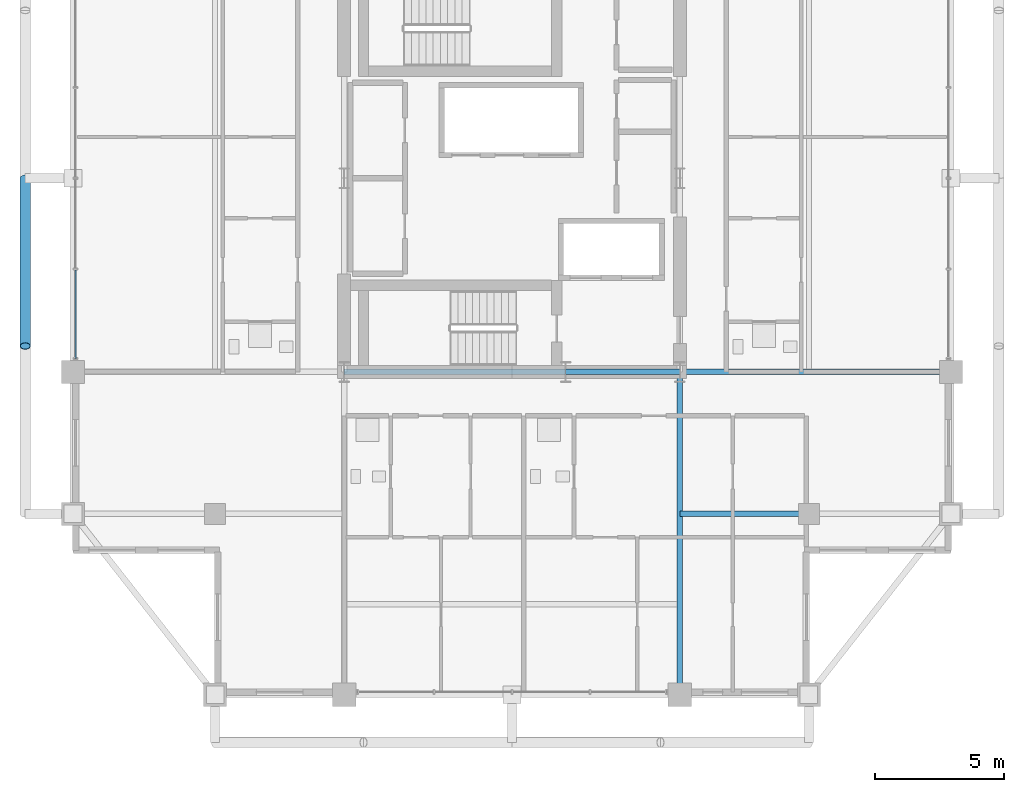
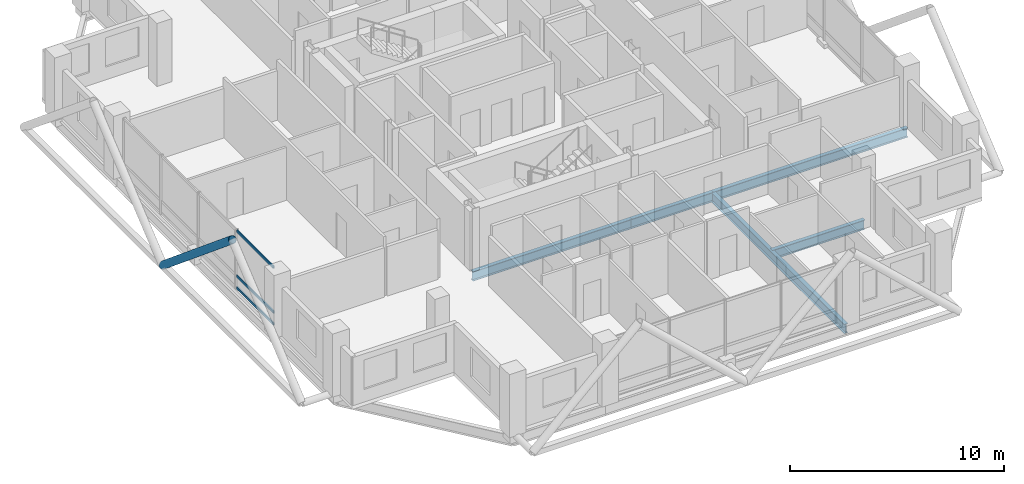
# One storey, part 7 of 25: 5 beams, 4 members, 1 element without a shape of its own.
"""IFC4 building model written with IfcOpenShell, lengths in metres."""

from ifc_helpers import new_model, si_unit, direction, frame, origin, origin_2d, place, context, subcontext, project, spatial, hollow_rectangle, hollow_circle, i_section, extrude, material, layer, layer_set, material_profile, profile_set, type_object, element, aggregate, save


model = new_model("IFC4")

# Units and contexts
model_context = context("Model", 3, precision=1e-05, world=origin(), true_north=direction((0.0, 1.0)))
body_context = subcontext(model_context, "Body", "Model", "MODEL_VIEW")
ifc_project = project(units=[si_unit("LENGTHUNIT", "METRE"), si_unit("AREAUNIT", "SQUARE_METRE"), si_unit("VOLUMEUNIT", "CUBIC_METRE"), si_unit("PLANEANGLEUNIT", "RADIAN"), si_unit("MASSUNIT", "GRAM", prefix="KILO")], contexts=[model_context])

# Site, building, storey
site_placement = place(None, origin())
site = spatial("IfcSite", under=ifc_project, at=site_placement, CompositionType="ELEMENT")
building_placement = place(site_placement, origin())
building = spatial("IfcBuilding", under=site, at=building_placement, Name="Barlavira Tower and Art Museum", CompositionType="ELEMENT")
storey_placement = place(building_placement, frame((0.0, 0.0, 229.5)))
storey = spatial("IfcBuildingStorey", under=building, at=storey_placement, Name="L59", CompositionType="ELEMENT", Elevation=229.5)

# Curtain wall, members
ifc_material_1 = material(Name="Low-iron coastal laminated glass", Category="glass")
ifc_layer = layer(ifc_material_1, 0.2099609375, Name="Low-iron coastal laminated glass")
ifc_layer_set = layer_set([ifc_layer], Name="Low-iron coastal laminated glass")
curtain_wall_type = type_object("IfcCurtainWallType", Name="Pale-Metal Unitised Curtain Wall Zone 4", PredefinedType="NOTDEFINED", material=ifc_layer_set)
curtain_wall_placement = place(storey_placement, origin())
curtain_wall = element("IfcCurtainWall", 1, at=curtain_wall_placement, inside=storey, type_object=curtain_wall_type, Name="L59 Curtain Wall CW4-L59-W-B3", PredefinedType="NOTDEFINED")
ifc_material_2 = material(Name="Pale anodised aluminium", Category="aluminium")
ifc_material_profile_1 = material_profile(ifc_material_2, hollow_rectangle(XDim=0.06494140625, YDim=0.139892578125, WallThickness=0.00390625, at=origin_2d()), Name="ALU-TRAN 65x140x4")
ifc_profile_set_1 = profile_set([ifc_material_profile_1], Name="Pale anodised aluminium")
member_type_1 = type_object("IfcMemberType", Name="Curtain Wall Pale-Metal Transom 65x140", PredefinedType="USERDEFINED", material=ifc_profile_set_1)
member_1_placement = place(storey_placement, frame((-16.89990234375, -3.56005859375, 0.070068359375), z_axis=(0.0, -1.0, 0.0), x_axis=(1.0, 0.0, 0.0)))
member_1 = element("IfcMember", 2, at=member_1_placement, type_object=member_type_1, Name="CW4-L59-W-B3 Transom 3.1", ObjectType="TRANSOM", PredefinedType="USERDEFINED", context=body_context, shape_type="SweptSolid", body=[
    extrude(hollow_rectangle(XDim=0.06494140625, YDim=0.139892578125, WallThickness=0.00390625, at=origin_2d()), origin(), (0.0, 0.0, 1.0), 3.425048828125),
])
member_2_placement = place(storey_placement, frame((-16.89990234375, -3.56005859375, 0.743896484375), z_axis=(0.0, -1.0, 0.0), x_axis=(1.0, 0.0, 0.0)))
member_2 = element("IfcMember", 3, at=member_2_placement, type_object=member_type_1, Name="CW4-L59-W-B3 Transom 3.2", ObjectType="TRANSOM", PredefinedType="USERDEFINED", context=body_context, shape_type="SweptSolid", body=[
    extrude(hollow_rectangle(XDim=0.06494140625, YDim=0.139892578125, WallThickness=0.00390625, at=origin_2d()), origin(), (0.0, 0.0, 1.0), 3.425048828125),
])
member_3_placement = place(storey_placement, frame((-16.89990234375, -3.56005859375, 3.31005859375), z_axis=(0.0, -1.0, 0.0), x_axis=(1.0, 0.0, 0.0)))
member_3 = element("IfcMember", 4, at=member_3_placement, type_object=member_type_1, Name="CW4-L59-W-B3 Transom 3.3", ObjectType="TRANSOM", PredefinedType="USERDEFINED", context=body_context, shape_type="SweptSolid", body=[
    extrude(hollow_rectangle(XDim=0.06494140625, YDim=0.139892578125, WallThickness=0.00390625, at=origin_2d()), origin(), (0.0, 0.0, 1.0), 3.425048828125),
])
aggregate(curtain_wall, [member_1, member_2, member_3])

# Member
ifc_material_3 = material(Name="Steel S355", Category="steel")
ifc_material_profile_2 = material_profile(ifc_material_3, hollow_circle(Radius=0.203125, WallThickness=0.01611328125, at=origin_2d()), Name="CHS 406.4x16.0")
ifc_profile_set_2 = profile_set([ifc_material_profile_2], Name="Steel S355")
member_type_2 = type_object("IfcMemberType", Name="Pale-Metal Exoskeleton Diagrid Tube CHS 406x16 Steel S355", PredefinedType="BRACE", material=ifc_profile_set_2)
member_4_placement = place(storey_placement, frame((-18.85009765625, 0.0, -0.1201171875), z_axis=(0.0, -0.76918185268, 0.639029950399), x_axis=(1.0, 0.0, 0.0)))
element("IfcMember", 5, at=member_4_placement, inside=storey, type_object=member_type_2, Name="L59 Exoskeleton Diagrid Tube W", PredefinedType="BRACE", context=body_context, shape_type="SweptSolid", body=[
    extrude(hollow_circle(Radius=0.203125, WallThickness=0.01611328125, at=origin_2d()), origin(), (0.0, 0.0, 1.0), 8.450439453125),
])

# Beams
ifc_material_profile_3 = material_profile(ifc_material_3, i_section(OverallWidth=0.2109375, OverallDepth=0.5390625, WebThickness=0.01171875, FlangeThickness=0.018798828125, at=origin_2d()), Name="W530x109.0")
ifc_profile_set_3 = profile_set([ifc_material_profile_3], Name="Steel S355")
beam_type = type_object("IfcBeamType", Name="Zone 3-4 Primary Floor Girder W530x109 Steel S355", PredefinedType="BEAM", material=ifc_profile_set_3)
beam_1_placement = place(storey_placement, frame((-6.5, -7.5, -0.489501953125), z_axis=(1.0, 0.0, 0.0), x_axis=(0.0, 1.0, 0.0)))
element("IfcBeam", 6, at=beam_1_placement, inside=storey, type_object=beam_type, Name="L59 Girder C-S1", PredefinedType="BEAM", context=body_context, shape_type="SweptSolid", body=[
    extrude(i_section(OverallWidth=0.2109375, OverallDepth=0.5390625, WebThickness=0.01171875, FlangeThickness=0.018798828125, at=origin_2d()), origin(), (0.0, 0.0, 1.0), 8.580078125),
])
beam_2_placement = place(storey_placement, frame((2.080078125, -7.5, -0.489501953125), z_axis=(1.0, 0.0, 0.0), x_axis=(0.0, 1.0, 0.0)))
element("IfcBeam", 7, at=beam_2_placement, inside=storey, type_object=beam_type, Name="L59 Girder C-S2", PredefinedType="BEAM", context=body_context, shape_type="SweptSolid", body=[
    extrude(i_section(OverallWidth=0.2109375, OverallDepth=0.5390625, WebThickness=0.01171875, FlangeThickness=0.018798828125, at=origin_2d()), origin(), (0.0, 0.0, 1.0), 4.419921875),
])
beam_3_placement = place(storey_placement, frame((6.5, -20.0, -0.489501953125), z_axis=(0.0, 1.0, 0.0), x_axis=(-1.0, 0.0, 0.0)))
element("IfcBeam", 8, at=beam_3_placement, inside=storey, type_object=beam_type, Name="L59 Girder R-S2", PredefinedType="BEAM", context=body_context, shape_type="SweptSolid", body=[
    extrude(i_section(OverallWidth=0.2109375, OverallDepth=0.5390625, WebThickness=0.01171875, FlangeThickness=0.018798828125, at=origin_2d()), origin(), (0.0, 0.0, 1.0), 12.5),
])
beam_4_placement = place(storey_placement, frame((6.5, -7.5, -0.489501953125), z_axis=(1.0, 0.0, 0.0), x_axis=(0.0, 1.0, 0.0)))
element("IfcBeam", 9, at=beam_4_placement, inside=storey, type_object=beam_type, Name="L59 Girder R-E1", PredefinedType="BEAM", context=body_context, shape_type="SweptSolid", body=[
    extrude(i_section(OverallWidth=0.2109375, OverallDepth=0.5390625, WebThickness=0.01171875, FlangeThickness=0.018798828125, at=origin_2d()), origin(), (0.0, 0.0, 1.0), 10.5),
])
beam_5_placement = place(storey_placement, frame((6.5, -13.0, -0.489501953125), z_axis=(1.0, 0.0, 0.0), x_axis=(0.0, 1.0, 0.0)))
element("IfcBeam", 10, at=beam_5_placement, inside=storey, type_object=beam_type, Name="L59 Girder I-S3", PredefinedType="BEAM", context=body_context, shape_type="SweptSolid", body=[
    extrude(i_section(OverallWidth=0.2109375, OverallDepth=0.5390625, WebThickness=0.01171875, FlangeThickness=0.018798828125, at=origin_2d()), origin(), (0.0, 0.0, 1.0), 5.0),
])

save(model, "model.ifc")
